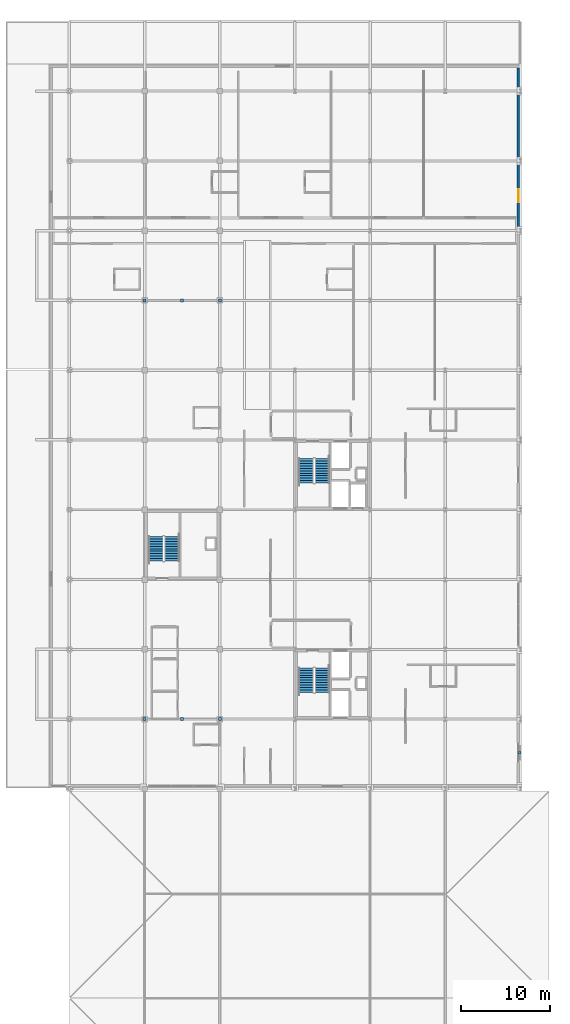
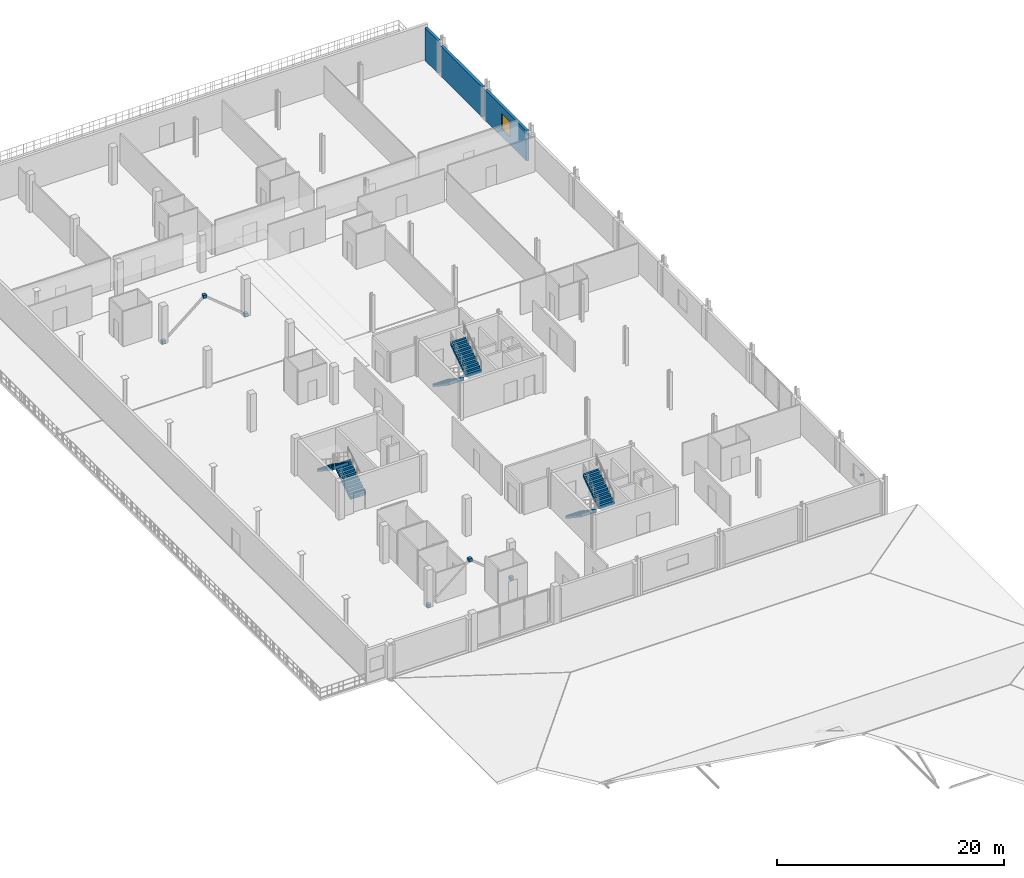
# One storey, part 19 of 25: 7 discrete accessories, 6 stair flights, 3 walls, 1 window, 1 opening, 3 elements without a shape of their own.
"""IFC4 building model written with IfcOpenShell, lengths in metres."""

from ifc_helpers import new_model, si_unit, direction, frame, frame_2d, origin, origin_2d, place, context, subcontext, project, spatial, polyline, rectangle, outline, extrude, material, layer, layer_set, type_object, element, fill, aggregate, save


model = new_model("IFC4")

# Units and contexts
model_context = context("Model", 3, precision=1e-05, world=origin(), true_north=direction((0.0, 1.0)))
body_context = subcontext(model_context, "Body", "Model", "MODEL_VIEW")
ifc_project = project(units=[si_unit("LENGTHUNIT", "METRE"), si_unit("AREAUNIT", "SQUARE_METRE"), si_unit("VOLUMEUNIT", "CUBIC_METRE"), si_unit("PLANEANGLEUNIT", "RADIAN"), si_unit("MASSUNIT", "GRAM", prefix="KILO")], contexts=[model_context])

# Site, building, storey
site_placement = place(None, origin())
site = spatial("IfcSite", under=ifc_project, at=site_placement, CompositionType="ELEMENT")
building_placement = place(site_placement, origin())
building = spatial("IfcBuilding", under=site, at=building_placement, Name="Nabrawat Pavilion Hospital", CompositionType="ELEMENT")
storey_placement = place(building_placement, frame((0.0, 0.0, 22.949951171875)))
storey = spatial("IfcBuildingStorey", under=building, at=storey_placement, Name="L05", CompositionType="ELEMENT", Elevation=22.949951171875)

# Wall, opening, window
ifc_material_1 = material(Name="Precast concrete C40/50", Category="concrete")
ifc_layer_1 = layer(ifc_material_1, 0.280029296875, Name="Precast concrete C40/50")
ifc_layer_set_1 = layer_set([ifc_layer_1], Name="Precast concrete C40/50")
wall_type = type_object("IfcWallType", Name="Insulated Precast Facade Wall 280", PredefinedType="SOLIDWALL", material=ifc_layer_set_1)
wall_1_placement = place(storey_placement, frame((192.97998046875, 101.675048828125, 0.0), z_axis=(0.0, 0.0, 1.0), x_axis=(0.0, 1.0, 0.0)))
wall_1 = element("IfcWall", 1, at=wall_1_placement, inside=storey, type_object=wall_type, Name="L05 Insulated Precast Facade Wall 280 397", PredefinedType="SOLIDWALL", context=body_context, shape_type="SweptSolid", body=[
    extrude(rectangle(XDim=7.25, YDim=0.280029296875, at=frame_2d((3.625, 0.0))), origin(), (0.0, 0.0, 1.0), 3.25),
])
opening_placement = place(wall_1_placement, frame((2.89990234375, 0.0, 0.85009765625)))
opening = element("IfcOpeningElement", 2, at=opening_placement, cuts=wall_1, Name="Opening WN-14", PredefinedType="OPENING", context=body_context, shape_type="SweptSolid", body=[
    extrude(rectangle(XDim=1.449951171875, YDim=1.64990234375, at=frame_2d((0.72509765625, 0.824951171875))), frame((0.0, 0.14990234375, 0.0), z_axis=(0.0, -1.0, 0.0), x_axis=(1.0, 0.0, 0.0)), (0.0, 0.0, 1.0), 0.300048828125),
])
ifc_material_2 = material(Name="Thermally Broken Aluminium and Solar Glass", Category="aluminium")
window_type = type_object("IfcWindowType", Name="Oncology Protective Ward Window 1450x1650", PartitioningType="SINGLE_PANEL", PredefinedType="WINDOW", material=ifc_material_2)
window_placement = place(opening_placement, origin())
window = element("IfcWindow", 3, at=window_placement, inside=storey, type_object=window_type, Name="L05 Oncology Protective Ward Window 1450x1650 142", OverallHeight=1.64990234375, OverallWidth=1.449951171875, PartitioningType="SINGLE_PANEL", PredefinedType="WINDOW", context=body_context, shape_type="SweptSolid", body=[
    extrude(rectangle(XDim=1.449951171875, YDim=1.64990234375, at=frame_2d((0.72509765625, 0.824951171875))), frame((0.0, 0.030029296875, 0.0), z_axis=(0.0, -1.0, 0.0), x_axis=(1.0, 0.0, 0.0)), (0.0, 0.0, 1.0), 0.06005859375),
])
fill(opening, window)

# Walls
wall_2_placement = place(storey_placement, frame((192.97998046875, 109.47509765625, 0.0), z_axis=(0.0, 0.0, 1.0), x_axis=(0.0, 1.0, 0.0)))
element("IfcWall", 4, at=wall_2_placement, inside=storey, type_object=wall_type, Name="L05 Insulated Precast Facade Wall 280 398", PredefinedType="SOLIDWALL", context=body_context, shape_type="SweptSolid", body=[
    extrude(rectangle(XDim=7.25, YDim=0.280029296875, at=frame_2d((3.625, 0.0))), origin(), (0.0, 0.0, 1.0), 3.25),
])
wall_3_placement = place(storey_placement, frame((192.97998046875, 117.27490234375, 0.0), z_axis=(0.0, 0.0, 1.0), x_axis=(0.0, 1.0, 0.0)))
element("IfcWall", 5, at=wall_3_placement, inside=storey, type_object=wall_type, Name="L05 Insulated Precast Facade Wall 280 399", PredefinedType="SOLIDWALL", context=body_context, shape_type="SweptSolid", body=[
    extrude(rectangle(XDim=2.28515625, YDim=0.280029296875, at=frame_2d((1.142578125, 0.0))), origin(), (0.0, 0.0, 1.0), 3.52001953125),
])

# Stair, stair flights
ifc_material_3 = material(Name="Concrete C35/45", Category="concrete")
stair_type = type_object("IfcStairType", Name="Ward Upper Dogleg Escape Stair Assembly", PredefinedType="HALF_TURN_STAIR", material=ifc_material_3)
stair_1_placement = place(storey_placement, origin())
stair_1 = element("IfcStair", 6, at=stair_1_placement, inside=storey, type_object=stair_type, Name="L05 Inpatient South Firefighting Core 5", PredefinedType="HALF_TURN_STAIR")
stair_flight_type = type_object("IfcStairFlightType", Name="Reinforced Concrete Escape Stair Flight 1600", PredefinedType="STRAIGHT", material=ifc_material_3)
stair_flight_1_placement = place(storey_placement, frame((169.25, 52.530029296875, 0.0), z_axis=(0.0, 0.0, 1.0), x_axis=(0.0, -1.0, 0.0)))
stair_flight_1 = element("IfcStairFlight", 7, at=stair_flight_1_placement, type_object=stair_flight_type, Name="ST-05 flight 1", NumberOfRisers=11, NumberOfTreads=10, PredefinedType="STRAIGHT", RiserHeight=0.184090909, TreadLength=0.275, context=body_context, shape_type="SweptSolid", body=[
    extrude(outline(polyline([(-0.008056640625, 0.0), (0.0, 0.0), (0.0, 0.18408203125), (0.27490234375, 0.18408203125), (0.27490234375, 0.3681640625), (0.550048828125, 0.3681640625), (0.550048828125, 0.55224609375), (0.824951171875, 0.55224609375), (0.824951171875, 0.736328125), (1.10009765625, 0.736328125), (1.10009765625, 0.92041015625), (1.375, 0.92041015625), (1.375, 1.1044921875), (1.64990234375, 1.1044921875), (1.64990234375, 1.28857421875), (1.925048828125, 1.28857421875), (1.925048828125, 1.47265625), (2.199951171875, 1.47265625), (2.199951171875, 1.65673828125), (2.47509765625, 1.65673828125), (2.47509765625, 1.8408203125), (2.75, 1.8408203125), (2.75, 2.02490234375), (2.758056640625, 2.02490234375), (2.758056640625, 1.875), (2.75, 1.660400390625), (0.26953125, 0.0), (-0.008056640625, -0.1201171875), (-0.008056640625, 0.0)])), frame((0.0, 0.800048828125, 0.0), z_axis=(0.0, -1.0, 0.0), x_axis=(1.0, 0.0, 0.0)), (0.0, 0.0, 1.0), 1.60009765625),
])
stair_flight_2_placement = place(storey_placement, frame((171.050048828125, 49.780029296875, 2.025146484375), z_axis=(0.0, 0.0, 1.0), x_axis=(0.0, 1.0, 0.0)))
stair_flight_2 = element("IfcStairFlight", 8, at=stair_flight_2_placement, type_object=stair_flight_type, Name="ST-05 flight 2", NumberOfRisers=11, NumberOfTreads=10, PredefinedType="STRAIGHT", RiserHeight=0.184090909, TreadLength=0.275, context=body_context, shape_type="SweptSolid", body=[
    extrude(outline(polyline([(-0.008056640625, 0.0), (0.0, 0.0), (0.0, 0.18408203125), (0.27490234375, 0.18408203125), (0.27490234375, 0.3681640625), (0.550048828125, 0.3681640625), (0.550048828125, 0.55224609375), (0.824951171875, 0.55224609375), (0.824951171875, 0.736328125), (1.10009765625, 0.736328125), (1.10009765625, 0.92041015625), (1.375, 0.92041015625), (1.375, 1.1044921875), (1.64990234375, 1.1044921875), (1.64990234375, 1.28857421875), (1.925048828125, 1.28857421875), (1.925048828125, 1.47265625), (2.199951171875, 1.47265625), (2.199951171875, 1.65673828125), (2.47509765625, 1.65673828125), (2.47509765625, 1.8408203125), (2.75, 1.8408203125), (2.75, 2.02490234375), (2.758056640625, 2.02490234375), (2.758056640625, 1.875), (2.75, 1.660400390625), (0.26953125, 0.0), (-0.008056640625, -0.1201171875), (-0.008056640625, 0.0)])), frame((0.0, 0.800048828125, 0.0), z_axis=(0.0, -1.0, 0.0), x_axis=(1.0, 0.0, 0.0)), (0.0, 0.0, 1.0), 1.60009765625),
])
aggregate(stair_1, [stair_flight_1, stair_flight_2])

stair_2_placement = place(storey_placement, origin())
stair_2 = element("IfcStair", 9, at=stair_2_placement, inside=storey, type_object=stair_type, Name="L05 Inpatient North Firefighting Core 6", PredefinedType="HALF_TURN_STAIR")
stair_flight_3_placement = place(storey_placement, frame((169.25, 75.929931640625, 0.0), z_axis=(0.0, 0.0, 1.0), x_axis=(0.0, -1.0, 0.0)))
stair_flight_3 = element("IfcStairFlight", 10, at=stair_flight_3_placement, type_object=stair_flight_type, Name="ST-06 flight 1", NumberOfRisers=11, NumberOfTreads=10, PredefinedType="STRAIGHT", RiserHeight=0.184090909, TreadLength=0.275, context=body_context, shape_type="SweptSolid", body=[
    extrude(outline(polyline([(-0.008056640625, 0.0), (0.0, 0.0), (0.0, 0.18408203125), (0.27490234375, 0.18408203125), (0.27490234375, 0.3681640625), (0.550048828125, 0.3681640625), (0.550048828125, 0.55224609375), (0.824951171875, 0.55224609375), (0.824951171875, 0.736328125), (1.10009765625, 0.736328125), (1.10009765625, 0.92041015625), (1.375, 0.92041015625), (1.375, 1.1044921875), (1.64990234375, 1.1044921875), (1.64990234375, 1.28857421875), (1.925048828125, 1.28857421875), (1.925048828125, 1.47265625), (2.199951171875, 1.47265625), (2.199951171875, 1.65673828125), (2.47509765625, 1.65673828125), (2.47509765625, 1.8408203125), (2.75, 1.8408203125), (2.75, 2.02490234375), (2.758056640625, 2.02490234375), (2.758056640625, 1.875), (2.75, 1.660400390625), (0.26953125, 0.0), (-0.008056640625, -0.1201171875), (-0.008056640625, 0.0)])), frame((0.0, 0.800048828125, 0.0), z_axis=(0.0, -1.0, 0.0), x_axis=(1.0, 0.0, 0.0)), (0.0, 0.0, 1.0), 1.60009765625),
])
stair_flight_4_placement = place(storey_placement, frame((171.050048828125, 73.179931640625, 2.025146484375), z_axis=(0.0, 0.0, 1.0), x_axis=(0.0, 1.0, 0.0)))
stair_flight_4 = element("IfcStairFlight", 11, at=stair_flight_4_placement, type_object=stair_flight_type, Name="ST-06 flight 2", NumberOfRisers=11, NumberOfTreads=10, PredefinedType="STRAIGHT", RiserHeight=0.184090909, TreadLength=0.275, context=body_context, shape_type="SweptSolid", body=[
    extrude(outline(polyline([(-0.008056640625, 0.0), (0.0, 0.0), (0.0, 0.18408203125), (0.27490234375, 0.18408203125), (0.27490234375, 0.3681640625), (0.550048828125, 0.3681640625), (0.550048828125, 0.55224609375), (0.824951171875, 0.55224609375), (0.824951171875, 0.736328125), (1.10009765625, 0.736328125), (1.10009765625, 0.92041015625), (1.375, 0.92041015625), (1.375, 1.1044921875), (1.64990234375, 1.1044921875), (1.64990234375, 1.28857421875), (1.925048828125, 1.28857421875), (1.925048828125, 1.47265625), (2.199951171875, 1.47265625), (2.199951171875, 1.65673828125), (2.47509765625, 1.65673828125), (2.47509765625, 1.8408203125), (2.75, 1.8408203125), (2.75, 2.02490234375), (2.758056640625, 2.02490234375), (2.758056640625, 1.875), (2.75, 1.660400390625), (0.26953125, 0.0), (-0.008056640625, -0.1201171875), (-0.008056640625, 0.0)])), frame((0.0, 0.800048828125, 0.0), z_axis=(0.0, -1.0, 0.0), x_axis=(1.0, 0.0, 0.0)), (0.0, 0.0, 1.0), 1.60009765625),
])
aggregate(stair_2, [stair_flight_3, stair_flight_4])

stair_3_placement = place(storey_placement, origin())
stair_3 = element("IfcStair", 12, at=stair_3_placement, inside=storey, type_object=stair_type, Name="L05 Inpatient West Escape Stair Core 9", PredefinedType="HALF_TURN_STAIR")
stair_flight_5_placement = place(storey_placement, frame((154.25, 64.469970703125, 0.0), z_axis=(0.0, 0.0, 1.0), x_axis=(0.0, 1.0, 0.0)))
stair_flight_5 = element("IfcStairFlight", 13, at=stair_flight_5_placement, type_object=stair_flight_type, Name="ST-09 flight 1", NumberOfRisers=11, NumberOfTreads=10, PredefinedType="STRAIGHT", RiserHeight=0.184090909, TreadLength=0.275, context=body_context, shape_type="SweptSolid", body=[
    extrude(outline(polyline([(-0.008056640625, 0.0), (0.0, 0.0), (0.0, 0.18408203125), (0.27490234375, 0.18408203125), (0.27490234375, 0.3681640625), (0.550048828125, 0.3681640625), (0.550048828125, 0.55224609375), (0.824951171875, 0.55224609375), (0.824951171875, 0.736328125), (1.10009765625, 0.736328125), (1.10009765625, 0.92041015625), (1.375, 0.92041015625), (1.375, 1.1044921875), (1.64990234375, 1.1044921875), (1.64990234375, 1.28857421875), (1.925048828125, 1.28857421875), (1.925048828125, 1.47265625), (2.199951171875, 1.47265625), (2.199951171875, 1.65673828125), (2.47509765625, 1.65673828125), (2.47509765625, 1.8408203125), (2.75, 1.8408203125), (2.75, 2.02490234375), (2.758056640625, 2.02490234375), (2.758056640625, 1.875), (2.75, 1.660400390625), (0.26953125, 0.0), (-0.008056640625, -0.1201171875), (-0.008056640625, 0.0)])), frame((0.0, 0.800048828125, 0.0), z_axis=(0.0, -1.0, 0.0), x_axis=(1.0, 0.0, 0.0)), (0.0, 0.0, 1.0), 1.60009765625),
])
stair_flight_6_placement = place(storey_placement, frame((152.449951171875, 67.219970703125, 2.025146484375), z_axis=(0.0, 0.0, 1.0), x_axis=(0.0, -1.0, 0.0)))
stair_flight_6 = element("IfcStairFlight", 14, at=stair_flight_6_placement, type_object=stair_flight_type, Name="ST-09 flight 2", NumberOfRisers=11, NumberOfTreads=10, PredefinedType="STRAIGHT", RiserHeight=0.184090909, TreadLength=0.275, context=body_context, shape_type="SweptSolid", body=[
    extrude(outline(polyline([(-0.008056640625, 0.0), (0.0, 0.0), (0.0, 0.18408203125), (0.27490234375, 0.18408203125), (0.27490234375, 0.3681640625), (0.550048828125, 0.3681640625), (0.550048828125, 0.55224609375), (0.824951171875, 0.55224609375), (0.824951171875, 0.736328125), (1.10009765625, 0.736328125), (1.10009765625, 0.92041015625), (1.375, 0.92041015625), (1.375, 1.1044921875), (1.64990234375, 1.1044921875), (1.64990234375, 1.28857421875), (1.925048828125, 1.28857421875), (1.925048828125, 1.47265625), (2.199951171875, 1.47265625), (2.199951171875, 1.65673828125), (2.47509765625, 1.65673828125), (2.47509765625, 1.8408203125), (2.75, 1.8408203125), (2.75, 2.02490234375), (2.758056640625, 2.02490234375), (2.758056640625, 1.875), (2.75, 1.660400390625), (0.26953125, 0.0), (-0.008056640625, -0.1201171875), (-0.008056640625, 0.0)])), frame((0.0, 0.800048828125, 0.0), z_axis=(0.0, -1.0, 0.0), x_axis=(1.0, 0.0, 0.0)), (0.0, 0.0, 1.0), 1.60009765625),
])
aggregate(stair_3, [stair_flight_5, stair_flight_6])

# Discrete accessories
ifc_material_4 = material(Name="Steel S355", Category="steel")
ifc_layer_2 = layer(ifc_material_4, 0.02001953125, Name="Steel S355")
ifc_layer_set_2 = layer_set([ifc_layer_2], Name="Steel S355")
discrete_accessory_type_1 = type_object("IfcDiscreteAccessoryType", Name="Brace and Strut Gusset End Bracket 20", PredefinedType="BRACKET", material=ifc_layer_set_2)
for number, where, z_axis, x_axis, name in (
    (15, (155.39990234375, 46.800048828125, 3.330078125), (0.0, 0.0, 1.0), (1.0, 0.0, 0.0), "L05 Brace and Strut Gusset End Connection 0084"),
    (16, (151.199951171875, 46.800048828125, -0.1201171875), (0.0, 0.0, 1.0), (1.0, 0.0, 0.0), "L05 Brace and Strut Gusset End Connection 0085"),
    (17, (159.60009765625, 46.800048828125, -0.1201171875), (0.0, 0.0, 1.0), (1.0, 0.0, 0.0), "L05 Brace and Strut Gusset End Connection 0086"),
    (18, (155.39990234375, 93.60009765625, 3.330078125), (0.0, 0.0, 1.0), (1.0, 0.0, 0.0), "L05 Brace and Strut Gusset End Connection 0111"),
    (19, (151.199951171875, 93.60009765625, -0.1201171875), (0.0, 0.0, 1.0), (1.0, 0.0, 0.0), "L05 Brace and Strut Gusset End Connection 0112"),
    (20, (159.60009765625, 93.60009765625, -0.1201171875), (0.0, 0.0, 1.0), (1.0, 0.0, 0.0), "L05 Brace and Strut Gusset End Connection 0113"),
):
    element("IfcDiscreteAccessory", number, at=place(storey_placement, frame(where, z_axis=z_axis, x_axis=x_axis)), inside=storey, type_object=discrete_accessory_type_1, Name=name, PredefinedType="BRACKET", context=body_context, shape_type="SweptSolid", body=[
        extrude(rectangle(XDim=0.340087890625, YDim=0.340087890625, at=origin_2d()), origin(), (0.0, 0.0, 1.0), 0.340087890625),
    ])
ifc_layer_3 = layer(ifc_material_4, 0.159912109375, Name="Steel S355")
ifc_layer_set_3 = layer_set([ifc_layer_3], Name="Steel S355")
discrete_accessory_type_2 = type_object("IfcDiscreteAccessoryType", Name="Facade Shading Support Steel Bracket", PredefinedType="BRACKET", material=ifc_layer_set_3)
discrete_accessory_placement = place(storey_placement, frame((193.125, 43.04248046875, 1.59521484375), z_axis=(0.0, 0.0, 1.0), x_axis=(0.0, 1.0, 0.0)))
element("IfcDiscreteAccessory", 21, at=discrete_accessory_placement, inside=storey, type_object=discrete_accessory_type_2, Name="L05 Facade Shading Bracket 019", PredefinedType="BRACKET", context=body_context, shape_type="SweptSolid", body=[
    extrude(rectangle(XDim=0.239990234375, YDim=0.280029296875, at=origin_2d()), origin(), (0.0, 0.0, 1.0), 0.159912109375),
])

save(model, "model.ifc")
